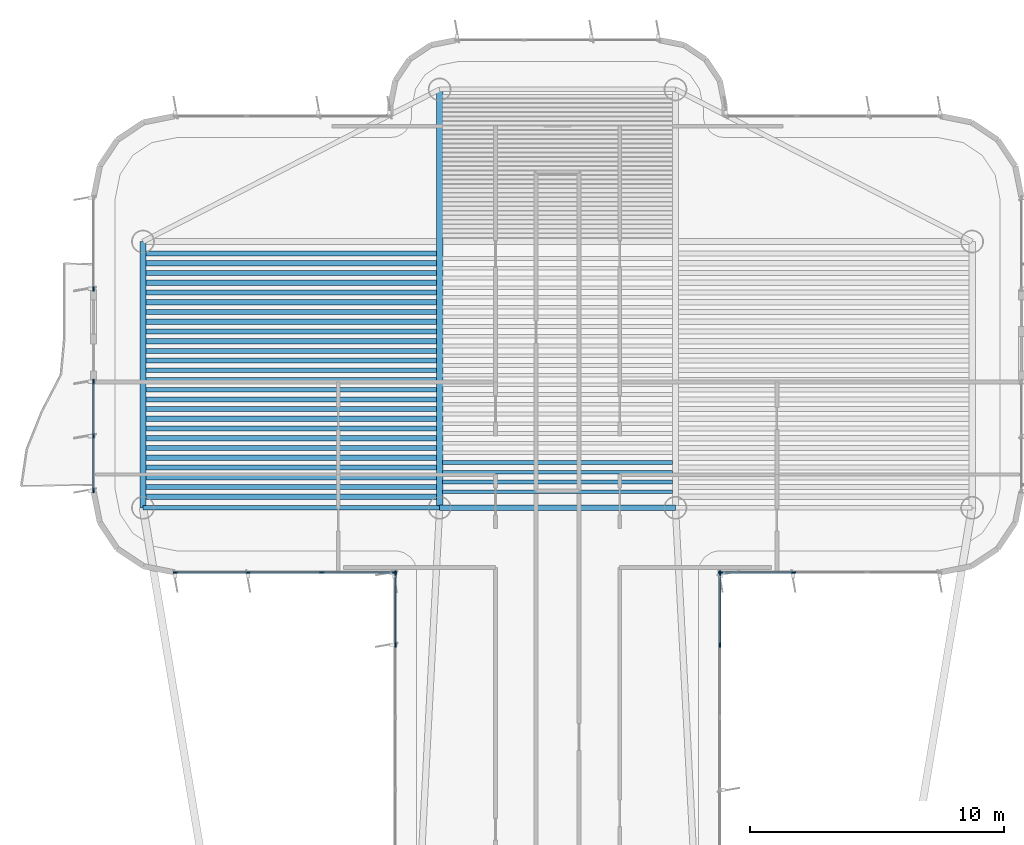
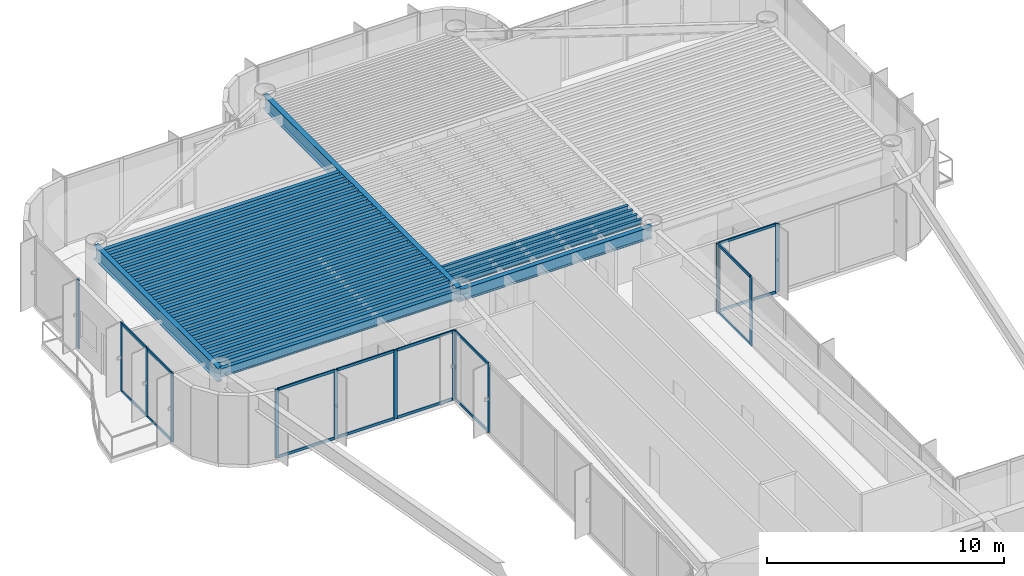
# One storey, part 5 of 15: 34 beams, 30 members, 6 elements without a shape of their own.
"""IFC4 building model written with IfcOpenShell, lengths in metres."""

from ifc_helpers import new_model, si_unit, direction, frame, origin, origin_2d, place, context, subcontext, project, spatial, rectangle, i_section, extrude, source, transform, mapped, material, layer, layer_set, material_profile, profile_set, type_object, element, aggregate, save


model = new_model("IFC4")

# Units and contexts
model_context = context("Model", 3, precision=1e-05, world=origin(), true_north=direction((0.0, 1.0)))
body_context = subcontext(model_context, "Body", "Model", "MODEL_VIEW")
ifc_project = project(units=[si_unit("LENGTHUNIT", "METRE"), si_unit("AREAUNIT", "SQUARE_METRE"), si_unit("VOLUMEUNIT", "CUBIC_METRE"), si_unit("PLANEANGLEUNIT", "RADIAN"), si_unit("MASSUNIT", "GRAM", prefix="KILO")], contexts=[model_context])

# Site, building, storey
site_placement = place(None, origin())
site = spatial("IfcSite", under=ifc_project, at=site_placement, CompositionType="ELEMENT")
building_placement = place(site_placement, origin())
building = spatial("IfcBuilding", under=site, at=building_placement, Name="Brelvock Crest Care Tower", CompositionType="ELEMENT")
storey_placement = place(building_placement, frame((0.0, 0.0, 249.47998046875)))
storey = spatial("IfcBuildingStorey", under=building, at=storey_placement, Name="L63", CompositionType="ELEMENT", Elevation=249.47998046875)

# Beams
ifc_material_1 = material(Name="Steel Grade 350", Category="steel")
ifc_material_profile_1 = material_profile(ifc_material_1, i_section(OverallWidth=0.25, OverallDepth=0.699951171875, WebThickness=0.011962890625, FlangeThickness=0.02001953125, at=origin_2d()), Name="700WB150")
ifc_profile_set_1 = profile_set([ifc_material_profile_1], Name="Steel Grade 350")
beam_type_1 = type_object("IfcBeamType", Name="BM-G4", PredefinedType="BEAM", material=ifc_profile_set_1)
shared_shape_1 = source(origin(), body_context, "Body", "SweptSolid", [
    extrude(i_section(OverallWidth=0.25, OverallDepth=0.699951171875, WebThickness=0.011962890625, FlangeThickness=0.02001953125, at=origin_2d()), origin(), (0.0, 0.0, 1.0), 10.5),
])
beam_1_placement = place(storey_placement, frame((19.64990234375, 43.949951171875, 3.179931640625), z_axis=(0.0, 1.0, 0.0), x_axis=(-1.0, 0.0, 0.0)))
element("IfcBeam", 1, at=beam_1_placement, inside=storey, type_object=beam_type_1, Name="BM-TWR-L63-01", PredefinedType="BEAM", context=body_context, shape_type="MappedRepresentation", body=[
    mapped(shared_shape_1, transform((0.0, 0.0, 0.0), x_axis=(1.0, 0.0, 0.0), y_axis=(0.0, 1.0, 0.0), z_axis=(0.0, 0.0, 1.0), scale=1.0)),
])
ifc_material_profile_2 = material_profile(ifc_material_1, i_section(OverallWidth=0.22900390625, OverallDepth=0.612060546875, WebThickness=0.011962890625, FlangeThickness=0.01953125, FilletRadius=0.013916015625, at=origin_2d()), Name="610UB125")
ifc_profile_set_2 = profile_set([ifc_material_profile_2], Name="Steel Grade 350")
beam_type_2 = type_object("IfcBeamType", Name="BM-G1", PredefinedType="BEAM", material=ifc_profile_set_2)
shared_shape_2 = source(origin(), body_context, "Body", "SweptSolid", [
    extrude(i_section(OverallWidth=0.22900390625, OverallDepth=0.612060546875, WebThickness=0.011962890625, FlangeThickness=0.01953125, FilletRadius=0.013916015625, at=origin_2d()), origin(), (0.0, 0.0, 1.0), 9.2998046875),
])
beam_2_placement = place(storey_placement, frame((31.35009765625, 43.949951171875, 3.22412109375), z_axis=(1.0, 0.0, 0.0), x_axis=(0.0, 1.0, 0.0)))
element("IfcBeam", 2, at=beam_2_placement, inside=storey, type_object=beam_type_2, Name="BM-TWR-L63-05", PredefinedType="BEAM", context=body_context, shape_type="MappedRepresentation", body=[
    mapped(shared_shape_2, transform((0.0, 0.0, 0.0), x_axis=(1.0, 0.0, 0.0), y_axis=(0.0, 1.0, 0.0), z_axis=(0.0, 0.0, 1.0), scale=1.0)),
])
ifc_material_profile_3 = material_profile(ifc_material_1, i_section(OverallWidth=0.14599609375, OverallDepth=0.256103515625, WebThickness=0.00634765625, FlangeThickness=0.010986328125, FilletRadius=0.0087890625, at=origin_2d()), Name="250UB37.3")
ifc_profile_set_3 = profile_set([ifc_material_profile_3], Name="Steel Grade 350")
beam_type_3 = type_object("IfcBeamType", Name="BM-J3", PredefinedType="JOIST", material=ifc_profile_set_3)
shared_shape_3 = source(origin(), body_context, "Body", "SweptSolid", [
    extrude(i_section(OverallWidth=0.14599609375, OverallDepth=0.256103515625, WebThickness=0.00634765625, FlangeThickness=0.010986328125, FilletRadius=0.0087890625, at=origin_2d()), origin(), (0.0, 0.0, 1.0), 9.06982421875),
])
for number, where, z_axis, x_axis, name in (
    (3, (31.465087890625, 44.58251953125, 3.402099609375), (1.0, 0.0, 0.0), (0.0, 1.0, 0.0), "BM-JH-L63-1"),
    (4, (31.465087890625, 44.9658203125, 3.402099609375), (1.0, 0.0, 0.0), (0.0, 1.0, 0.0), "BM-JH-L63-2"),
    (5, (31.465087890625, 45.34912109375, 3.402099609375), (1.0, 0.0, 0.0), (0.0, 1.0, 0.0), "BM-JH-L63-3"),
    (6, (31.465087890625, 45.732421875, 3.402099609375), (1.0, 0.0, 0.0), (0.0, 1.0, 0.0), "BM-JH-L63-4"),
):
    element("IfcBeam", number, at=place(storey_placement, frame(where, z_axis=z_axis, x_axis=x_axis)), inside=storey, type_object=beam_type_3, Name=name, PredefinedType="JOIST", context=body_context, shape_type="MappedRepresentation", body=[
        mapped(shared_shape_3, transform((0.0, 0.0, 0.0), x_axis=(1.0, 0.0, 0.0), y_axis=(0.0, 1.0, 0.0), z_axis=(0.0, 0.0, 1.0), scale=1.0)),
    ])
ifc_material_profile_4 = material_profile(ifc_material_1, i_section(OverallWidth=0.19091796875, OverallDepth=0.4599609375, WebThickness=0.010009765625, FlangeThickness=0.01611328125, FilletRadius=0.011474609375, at=origin_2d()), Name="460UB82.1")
ifc_profile_set_4 = profile_set([ifc_material_profile_4], Name="Steel Grade 350")
beam_type_4 = type_object("IfcBeamType", Name="BM-G3", PredefinedType="BEAM", material=ifc_profile_set_4)
shared_shape_4 = source(origin(), body_context, "Body", "SweptSolid", [
    extrude(i_section(OverallWidth=0.19091796875, OverallDepth=0.4599609375, WebThickness=0.010009765625, FlangeThickness=0.01611328125, FilletRadius=0.011474609375, at=origin_2d()), origin(), (0.0, 0.0, 1.0), 11.47021484375),
])
for number, where, z_axis, x_axis, name in (
    (7, (19.764892578125, 44.7744140625, 3.300048828125), (1.0, 0.0, 0.0), (0.0, 1.0, 0.0), "BM-JW-L63-2"),
    (8, (19.764892578125, 45.540771484375, 3.300048828125), (1.0, 0.0, 0.0), (0.0, 1.0, 0.0), "BM-JW-L63-4"),
    (9, (19.764892578125, 46.307373046875, 3.300048828125), (1.0, 0.0, 0.0), (0.0, 1.0, 0.0), "BM-JW-L63-6"),
    (10, (19.764892578125, 47.07373046875, 3.300048828125), (1.0, 0.0, 0.0), (0.0, 1.0, 0.0), "BM-JW-L63-8"),
    (11, (19.764892578125, 47.84033203125, 3.300048828125), (1.0, 0.0, 0.0), (0.0, 1.0, 0.0), "BM-JW-L63-10"),
    (12, (19.764892578125, 48.606689453125, 3.300048828125), (1.0, 0.0, 0.0), (0.0, 1.0, 0.0), "BM-JW-L63-12"),
    (13, (19.764892578125, 49.373291015625, 3.300048828125), (1.0, 0.0, 0.0), (0.0, 1.0, 0.0), "BM-JW-L63-14"),
    (14, (19.764892578125, 50.139892578125, 3.300048828125), (1.0, 0.0, 0.0), (0.0, 1.0, 0.0), "BM-JW-L63-16"),
    (15, (19.764892578125, 50.90625, 3.300048828125), (1.0, 0.0, 0.0), (0.0, 1.0, 0.0), "BM-JW-L63-18"),
    (16, (19.764892578125, 51.6728515625, 3.300048828125), (1.0, 0.0, 0.0), (0.0, 1.0, 0.0), "BM-JW-L63-20"),
    (17, (19.764892578125, 52.439208984375, 3.300048828125), (1.0, 0.0, 0.0), (0.0, 1.0, 0.0), "BM-JW-L63-22"),
    (18, (19.764892578125, 53.205810546875, 3.300048828125), (1.0, 0.0, 0.0), (0.0, 1.0, 0.0), "BM-JW-L63-24"),
    (19, (19.764892578125, 53.972412109375, 3.300048828125), (1.0, 0.0, 0.0), (0.0, 1.0, 0.0), "BM-JW-L63-26"),
):
    element("IfcBeam", number, at=place(storey_placement, frame(where, z_axis=z_axis, x_axis=x_axis)), inside=storey, type_object=beam_type_4, Name=name, PredefinedType="BEAM", context=body_context, shape_type="MappedRepresentation", body=[
        mapped(shared_shape_4, transform((0.0, 0.0, 0.0), x_axis=(1.0, 0.0, 0.0), y_axis=(0.0, 1.0, 0.0), z_axis=(0.0, 0.0, 1.0), scale=1.0)),
    ])
ifc_material_profile_5 = material_profile(ifc_material_1, i_section(OverallWidth=0.208984375, OverallDepth=0.532958984375, WebThickness=0.01025390625, FlangeThickness=0.015625, FilletRadius=0.013916015625, at=origin_2d()), Name="530UB92.4")
ifc_profile_set_5 = profile_set([ifc_material_profile_5], Name="Steel Grade 350")
beam_type_5 = type_object("IfcBeamType", Name="BM-G2", PredefinedType="BEAM", material=ifc_profile_set_5)
shared_shape_5 = source(origin(), body_context, "Body", "SweptSolid", [
    extrude(i_section(OverallWidth=0.208984375, OverallDepth=0.532958984375, WebThickness=0.01025390625, FlangeThickness=0.015625, FilletRadius=0.013916015625, at=origin_2d()), origin(), (0.0, 0.0, 1.0), 11.47021484375),
])
for number, where, z_axis, x_axis, name in (
    (20, (19.764892578125, 44.39111328125, 3.263427734375), (1.0, 0.0, 0.0), (0.0, 1.0, 0.0), "BM-JW-L63-1"),
    (21, (19.764892578125, 45.157470703125, 3.263427734375), (1.0, 0.0, 0.0), (0.0, 1.0, 0.0), "BM-JW-L63-3"),
    (22, (19.764892578125, 45.924072265625, 3.263427734375), (1.0, 0.0, 0.0), (0.0, 1.0, 0.0), "BM-JW-L63-5"),
    (23, (19.764892578125, 46.6904296875, 3.263427734375), (1.0, 0.0, 0.0), (0.0, 1.0, 0.0), "BM-JW-L63-7"),
    (24, (19.764892578125, 47.45703125, 3.263427734375), (1.0, 0.0, 0.0), (0.0, 1.0, 0.0), "BM-JW-L63-9"),
    (25, (19.764892578125, 48.223388671875, 3.263427734375), (1.0, 0.0, 0.0), (0.0, 1.0, 0.0), "BM-JW-L63-11"),
    (26, (19.764892578125, 48.989990234375, 3.263427734375), (1.0, 0.0, 0.0), (0.0, 1.0, 0.0), "BM-JW-L63-13"),
    (27, (19.764892578125, 49.756591796875, 3.263427734375), (1.0, 0.0, 0.0), (0.0, 1.0, 0.0), "BM-JW-L63-15"),
    (28, (19.764892578125, 50.52294921875, 3.263427734375), (1.0, 0.0, 0.0), (0.0, 1.0, 0.0), "BM-JW-L63-17"),
    (29, (19.764892578125, 51.28955078125, 3.263427734375), (1.0, 0.0, 0.0), (0.0, 1.0, 0.0), "BM-JW-L63-19"),
    (30, (19.764892578125, 52.055908203125, 3.263427734375), (1.0, 0.0, 0.0), (0.0, 1.0, 0.0), "BM-JW-L63-21"),
    (31, (19.764892578125, 52.822509765625, 3.263427734375), (1.0, 0.0, 0.0), (0.0, 1.0, 0.0), "BM-JW-L63-23"),
    (32, (19.764892578125, 53.589111328125, 3.263427734375), (1.0, 0.0, 0.0), (0.0, 1.0, 0.0), "BM-JW-L63-25"),
):
    element("IfcBeam", number, at=place(storey_placement, frame(where, z_axis=z_axis, x_axis=x_axis)), inside=storey, type_object=beam_type_5, Name=name, PredefinedType="BEAM", context=body_context, shape_type="MappedRepresentation", body=[
        mapped(shared_shape_5, transform((0.0, 0.0, 0.0), x_axis=(1.0, 0.0, 0.0), y_axis=(0.0, 1.0, 0.0), z_axis=(0.0, 0.0, 1.0), scale=1.0)),
    ])
ifc_material_profile_6 = material_profile(ifc_material_1, i_section(OverallWidth=0.19091796875, OverallDepth=0.4599609375, WebThickness=0.010009765625, FlangeThickness=0.01611328125, FilletRadius=0.011474609375, at=origin_2d()), Name="460UB82.1")
ifc_profile_set_6 = profile_set([ifc_material_profile_6], Name="Steel Grade 350")
beam_type_6 = type_object("IfcBeamType", Name="BM-SP2", PredefinedType="SPANDREL", material=ifc_profile_set_6)
shared_shape_6 = source(origin(), body_context, "Body", "SweptSolid", [
    extrude(i_section(OverallWidth=0.19091796875, OverallDepth=0.4599609375, WebThickness=0.010009765625, FlangeThickness=0.01611328125, FilletRadius=0.011474609375, at=origin_2d()), origin(), (0.0, 0.0, 1.0), 11.7001953125),
])
beam_3_placement = place(storey_placement, frame((19.64990234375, 43.949951171875, 3.300048828125), z_axis=(1.0, 0.0, 0.0), x_axis=(0.0, 1.0, 0.0)))
element("IfcBeam", 33, at=beam_3_placement, inside=storey, type_object=beam_type_6, Name="BM-TWR-L63-03", PredefinedType="SPANDREL", context=body_context, shape_type="MappedRepresentation", body=[
    mapped(shared_shape_6, transform((0.0, 0.0, 0.0), x_axis=(1.0, 0.0, 0.0), y_axis=(0.0, 1.0, 0.0), z_axis=(0.0, 0.0, 1.0), scale=1.0)),
])
shared_shape_7 = source(origin(), body_context, "Body", "SweptSolid", [
    extrude(i_section(OverallWidth=0.25, OverallDepth=0.699951171875, WebThickness=0.011962890625, FlangeThickness=0.02001953125, at=origin_2d()), origin(), (0.0, 0.0, 1.0), 16.5),
])
beam_4_placement = place(storey_placement, frame((31.35009765625, 43.949951171875, 3.179931640625), z_axis=(0.0, 1.0, 0.0), x_axis=(-1.0, 0.0, 0.0)))
element("IfcBeam", 34, at=beam_4_placement, inside=storey, type_object=beam_type_1, Name="BM-TWR-L63-09", PredefinedType="BEAM", context=body_context, shape_type="MappedRepresentation", body=[
    mapped(shared_shape_7, transform((0.0, 0.0, 0.0), x_axis=(1.0, 0.0, 0.0), y_axis=(0.0, 1.0, 0.0), z_axis=(0.0, 0.0, 1.0), scale=1.0)),
])

# Curtain wall, members
ifc_material_2 = material(Name="Dark Glass Double Glazed Low-E", Category="glass")
ifc_layer = layer(ifc_material_2, 0.239990234375, Name="CWS-5")
ifc_layer_set = layer_set([ifc_layer], Name="Dark Glass Double Glazed Low-E")
curtain_wall_type = type_object("IfcCurtainWallType", Name="CWS-5", PredefinedType="NOTDEFINED", material=ifc_layer_set)
curtain_wall_1_placement = place(storey_placement, origin())
curtain_wall_1 = element("IfcCurtainWall", 35, at=curtain_wall_1_placement, inside=storey, type_object=curtain_wall_type, Name="L63 Curtain Wall E11", PredefinedType="NOTDEFINED")
ifc_material_3 = material(Name="Aluminium 6063-T6", Category="aluminium")
ifc_material_profile_7 = material_profile(ifc_material_3, rectangle(XDim=0.06005859375, YDim=0.179931640625, at=origin_2d()), Name="ALU60x180")
ifc_profile_set_7 = profile_set([ifc_material_profile_7], Name="Aluminium 6063-T6")
member_type_1 = type_object("IfcMemberType", Name="CWM-2", PredefinedType="MULLION", material=ifc_profile_set_7)
shared_shape_8 = source(origin(), body_context, "Body", "SweptSolid", [
    extrude(rectangle(XDim=0.06005859375, YDim=0.179931640625, at=origin_2d()), origin(), (0.0, 0.0, 1.0), 3.530029296875),
])
member_1_placement = place(storey_placement, frame((29.60009765625, 38.54296875, 0.0), z_axis=(0.0, 0.0, 1.0), x_axis=(-1.0, 0.0, 0.0)))
member_1 = element("IfcMember", 36, at=member_1_placement, type_object=member_type_1, Name="CW-5 mullion 7", PredefinedType="MULLION", context=body_context, shape_type="MappedRepresentation", body=[
    mapped(shared_shape_8, transform((0.0, 0.0, 0.0), x_axis=(1.0, 0.0, 0.0), y_axis=(0.0, 1.0, 0.0), z_axis=(0.0, 0.0, 1.0), scale=1.0)),
])
member_2_placement = place(storey_placement, frame((29.60009765625, 41.3701171875, 0.0), z_axis=(0.0, 0.0, 1.0), x_axis=(-1.0, 0.0, 0.0)))
member_2 = element("IfcMember", 37, at=member_2_placement, type_object=member_type_1, Name="CW-5 mullion 8", PredefinedType="MULLION", context=body_context, shape_type="MappedRepresentation", body=[
    mapped(shared_shape_8, transform((0.0, 0.0, 0.0), x_axis=(1.0, 0.0, 0.0), y_axis=(0.0, 1.0, 0.0), z_axis=(0.0, 0.0, 1.0), scale=1.0)),
])

curtain_wall_2_placement = place(storey_placement, origin())
curtain_wall_2 = element("IfcCurtainWall", 38, at=curtain_wall_2_placement, inside=storey, type_object=curtain_wall_type, Name="L63 Curtain Wall E12", PredefinedType="NOTDEFINED")
member_3_placement = place(storey_placement, frame((29.570068359375, 41.39990234375, 0.0), z_axis=(0.0, 0.0, 1.0), x_axis=(0.0, -1.0, 0.0)))
member_3 = element("IfcMember", 39, at=member_3_placement, type_object=member_type_1, Name="CW-5 mullion 1", PredefinedType="MULLION", context=body_context, shape_type="MappedRepresentation", body=[
    mapped(shared_shape_8, transform((0.0, 0.0, 0.0), x_axis=(1.0, 0.0, 0.0), y_axis=(0.0, 1.0, 0.0), z_axis=(0.0, 0.0, 1.0), scale=1.0)),
])
member_4_placement = place(storey_placement, frame((26.699951171875, 41.39990234375, 0.0), z_axis=(0.0, 0.0, 1.0), x_axis=(0.0, -1.0, 0.0)))
member_4 = element("IfcMember", 40, at=member_4_placement, type_object=member_type_1, Name="CW-5 mullion 2", PredefinedType="MULLION", context=body_context, shape_type="MappedRepresentation", body=[
    mapped(shared_shape_8, transform((0.0, 0.0, 0.0), x_axis=(1.0, 0.0, 0.0), y_axis=(0.0, 1.0, 0.0), z_axis=(0.0, 0.0, 1.0), scale=1.0)),
])
member_5_placement = place(storey_placement, frame((23.800048828125, 41.39990234375, 0.0), z_axis=(0.0, 0.0, 1.0), x_axis=(0.0, -1.0, 0.0)))
member_5 = element("IfcMember", 41, at=member_5_placement, type_object=member_type_1, Name="CW-5 mullion 3", PredefinedType="MULLION", context=body_context, shape_type="MappedRepresentation", body=[
    mapped(shared_shape_8, transform((0.0, 0.0, 0.0), x_axis=(1.0, 0.0, 0.0), y_axis=(0.0, 1.0, 0.0), z_axis=(0.0, 0.0, 1.0), scale=1.0)),
])
member_6_placement = place(storey_placement, frame((20.929931640625, 41.39990234375, 0.0), z_axis=(0.0, 0.0, 1.0), x_axis=(0.0, -1.0, 0.0)))
member_6 = element("IfcMember", 42, at=member_6_placement, type_object=member_type_1, Name="CW-5 mullion 4", PredefinedType="MULLION", context=body_context, shape_type="MappedRepresentation", body=[
    mapped(shared_shape_8, transform((0.0, 0.0, 0.0), x_axis=(1.0, 0.0, 0.0), y_axis=(0.0, 1.0, 0.0), z_axis=(0.0, 0.0, 1.0), scale=1.0)),
])

curtain_wall_3_placement = place(storey_placement, origin())
curtain_wall_3 = element("IfcCurtainWall", 43, at=curtain_wall_3_placement, inside=storey, type_object=curtain_wall_type, Name="L63 Curtain Wall E17A", PredefinedType="NOTDEFINED")
member_7_placement = place(storey_placement, frame((17.699951171875, 44.6298828125, 0.0), z_axis=(0.0, 0.0, 1.0), x_axis=(-1.0, 0.0, 0.0)))
member_7 = element("IfcMember", 44, at=member_7_placement, type_object=member_type_1, Name="CW-5 mullion 1", PredefinedType="MULLION", context=body_context, shape_type="MappedRepresentation", body=[
    mapped(shared_shape_8, transform((0.0, 0.0, 0.0), x_axis=(1.0, 0.0, 0.0), y_axis=(0.0, 1.0, 0.0), z_axis=(0.0, 0.0, 1.0), scale=1.0)),
])
member_8_placement = place(storey_placement, frame((17.699951171875, 46.77490234375, 0.0), z_axis=(0.0, 0.0, 1.0), x_axis=(-1.0, 0.0, 0.0)))
member_8 = element("IfcMember", 45, at=member_8_placement, type_object=member_type_1, Name="CW-5 mullion 2", PredefinedType="MULLION", context=body_context, shape_type="MappedRepresentation", body=[
    mapped(shared_shape_8, transform((0.0, 0.0, 0.0), x_axis=(1.0, 0.0, 0.0), y_axis=(0.0, 1.0, 0.0), z_axis=(0.0, 0.0, 1.0), scale=1.0)),
])
member_9_placement = place(storey_placement, frame((17.699951171875, 48.919921875, 0.0), z_axis=(0.0, 0.0, 1.0), x_axis=(-1.0, 0.0, 0.0)))
member_9 = element("IfcMember", 46, at=member_9_placement, type_object=member_type_1, Name="CW-5 mullion 3", PredefinedType="MULLION", context=body_context, shape_type="MappedRepresentation", body=[
    mapped(shared_shape_8, transform((0.0, 0.0, 0.0), x_axis=(1.0, 0.0, 0.0), y_axis=(0.0, 1.0, 0.0), z_axis=(0.0, 0.0, 1.0), scale=1.0)),
])

# Curtain wall, member
curtain_wall_4_placement = place(storey_placement, origin())
curtain_wall_4 = element("IfcCurtainWall", 47, at=curtain_wall_4_placement, inside=storey, type_object=curtain_wall_type, Name="L63 Curtain Wall E17B", PredefinedType="NOTDEFINED")
member_10_placement = place(storey_placement, frame((17.699951171875, 52.580078125, 0.0), z_axis=(0.0, 0.0, 1.0), x_axis=(-1.0, 0.0, 0.0)))
member_10 = element("IfcMember", 48, at=member_10_placement, type_object=member_type_1, Name="CW-5 mullion 1", PredefinedType="MULLION", context=body_context, shape_type="MappedRepresentation", body=[
    mapped(shared_shape_8, transform((0.0, 0.0, 0.0), x_axis=(1.0, 0.0, 0.0), y_axis=(0.0, 1.0, 0.0), z_axis=(0.0, 0.0, 1.0), scale=1.0)),
])
aggregate(curtain_wall_4, [member_10])

# Curtain wall, members
curtain_wall_5_placement = place(storey_placement, origin())
curtain_wall_5 = element("IfcCurtainWall", 49, at=curtain_wall_5_placement, inside=storey, type_object=curtain_wall_type, Name="L63 Curtain Wall E44", PredefinedType="NOTDEFINED")
member_11_placement = place(storey_placement, frame((45.300048828125, 41.39990234375, 0.0), z_axis=(0.0, 0.0, 1.0), x_axis=(0.0, -1.0, 0.0)))
member_11 = element("IfcMember", 50, at=member_11_placement, type_object=member_type_1, Name="CW-5 mullion 3", PredefinedType="MULLION", context=body_context, shape_type="MappedRepresentation", body=[
    mapped(shared_shape_8, transform((0.0, 0.0, 0.0), x_axis=(1.0, 0.0, 0.0), y_axis=(0.0, 1.0, 0.0), z_axis=(0.0, 0.0, 1.0), scale=1.0)),
])
member_12_placement = place(storey_placement, frame((42.429931640625, 41.39990234375, 0.0), z_axis=(0.0, 0.0, 1.0), x_axis=(0.0, -1.0, 0.0)))
member_12 = element("IfcMember", 51, at=member_12_placement, type_object=member_type_1, Name="CW-5 mullion 4", PredefinedType="MULLION", context=body_context, shape_type="MappedRepresentation", body=[
    mapped(shared_shape_8, transform((0.0, 0.0, 0.0), x_axis=(1.0, 0.0, 0.0), y_axis=(0.0, 1.0, 0.0), z_axis=(0.0, 0.0, 1.0), scale=1.0)),
])

curtain_wall_6_placement = place(storey_placement, origin())
curtain_wall_6 = element("IfcCurtainWall", 52, at=curtain_wall_6_placement, inside=storey, type_object=curtain_wall_type, Name="L63 Curtain Wall E45", PredefinedType="NOTDEFINED")
member_13_placement = place(storey_placement, frame((42.39990234375, 41.3701171875, 0.0), z_axis=(0.0, 0.0, 1.0), x_axis=(1.0, 0.0, 0.0)))
member_13 = element("IfcMember", 53, at=member_13_placement, type_object=member_type_1, Name="CW-5 mullion 1", PredefinedType="MULLION", context=body_context, shape_type="MappedRepresentation", body=[
    mapped(shared_shape_8, transform((0.0, 0.0, 0.0), x_axis=(1.0, 0.0, 0.0), y_axis=(0.0, 1.0, 0.0), z_axis=(0.0, 0.0, 1.0), scale=1.0)),
])
member_14_placement = place(storey_placement, frame((42.39990234375, 38.54296875, 0.0), z_axis=(0.0, 0.0, 1.0), x_axis=(1.0, 0.0, 0.0)))
member_14 = element("IfcMember", 54, at=member_14_placement, type_object=member_type_1, Name="CW-5 mullion 2", PredefinedType="MULLION", context=body_context, shape_type="MappedRepresentation", body=[
    mapped(shared_shape_8, transform((0.0, 0.0, 0.0), x_axis=(1.0, 0.0, 0.0), y_axis=(0.0, 1.0, 0.0), z_axis=(0.0, 0.0, 1.0), scale=1.0)),
])

# Member
ifc_material_profile_8 = material_profile(ifc_material_3, rectangle(XDim=0.06005859375, YDim=0.139892578125, at=origin_2d()), Name="ALU60x140")
ifc_profile_set_8 = profile_set([ifc_material_profile_8], Name="Aluminium 6063-T6")
member_type_2 = type_object("IfcMemberType", Name="CWT-2", PredefinedType="USERDEFINED", material=ifc_profile_set_8)
shared_shape_9 = source(origin(), body_context, "Body", "SweptSolid", [
    extrude(rectangle(XDim=0.06005859375, YDim=0.139892578125, at=origin_2d()), origin(), (0.0, 0.0, 1.0), 2.767333984375),
])
member_15_placement = place(storey_placement, frame((29.60009765625, 38.57275390625, 0.030029296875), z_axis=(0.0, 1.0, 0.0), x_axis=(-1.0, 0.0, 0.0)))
member_15 = element("IfcMember", 55, at=member_15_placement, type_object=member_type_2, Name="CW-5 transom 7.1", ObjectType="TRANSOM", PredefinedType="USERDEFINED", context=body_context, shape_type="MappedRepresentation", body=[
    mapped(shared_shape_9, transform((0.0, 0.0, 0.0), x_axis=(1.0, 0.0, 0.0), y_axis=(0.0, 1.0, 0.0), z_axis=(0.0, 0.0, 1.0), scale=1.0)),
])

member_16_placement = place(storey_placement, frame((29.60009765625, 38.57275390625, 3.5), z_axis=(0.0, 1.0, 0.0), x_axis=(-1.0, 0.0, 0.0)))
member_16 = element("IfcMember", 56, at=member_16_placement, type_object=member_type_2, Name="CW-5 transom 7.2", ObjectType="TRANSOM", PredefinedType="USERDEFINED", context=body_context, shape_type="MappedRepresentation", body=[
    mapped(shared_shape_9, transform((0.0, 0.0, 0.0), x_axis=(1.0, 0.0, 0.0), y_axis=(0.0, 1.0, 0.0), z_axis=(0.0, 0.0, 1.0), scale=1.0)),
])

aggregate(curtain_wall_1, [member_1, member_2, member_15, member_16])

member_17_placement = place(storey_placement, frame((42.39990234375, 41.340087890625, 0.030029296875), z_axis=(0.0, -1.0, 0.0), x_axis=(1.0, 0.0, 0.0)))
member_17 = element("IfcMember", 57, at=member_17_placement, type_object=member_type_2, Name="CW-5 transom 1.1", ObjectType="TRANSOM", PredefinedType="USERDEFINED", context=body_context, shape_type="MappedRepresentation", body=[
    mapped(shared_shape_9, transform((0.0, 0.0, 0.0), x_axis=(1.0, 0.0, 0.0), y_axis=(0.0, 1.0, 0.0), z_axis=(0.0, 0.0, 1.0), scale=1.0)),
])

member_18_placement = place(storey_placement, frame((42.39990234375, 41.340087890625, 3.5), z_axis=(0.0, -1.0, 0.0), x_axis=(1.0, 0.0, 0.0)))
member_18 = element("IfcMember", 58, at=member_18_placement, type_object=member_type_2, Name="CW-5 transom 1.2", ObjectType="TRANSOM", PredefinedType="USERDEFINED", context=body_context, shape_type="MappedRepresentation", body=[
    mapped(shared_shape_9, transform((0.0, 0.0, 0.0), x_axis=(1.0, 0.0, 0.0), y_axis=(0.0, 1.0, 0.0), z_axis=(0.0, 0.0, 1.0), scale=1.0)),
])

aggregate(curtain_wall_6, [member_13, member_14, member_17, member_18])

shared_shape_10 = source(origin(), body_context, "Body", "SweptSolid", [
    extrude(rectangle(XDim=0.06005859375, YDim=0.139892578125, at=origin_2d()), origin(), (0.0, 0.0, 1.0), 2.81005859375),
])
member_19_placement = place(storey_placement, frame((29.5400390625, 41.39990234375, 0.030029296875), z_axis=(-1.0, 0.0, 0.0), x_axis=(0.0, -1.0, 0.0)))
member_19 = element("IfcMember", 59, at=member_19_placement, type_object=member_type_2, Name="CW-5 transom 1.1", ObjectType="TRANSOM", PredefinedType="USERDEFINED", context=body_context, shape_type="MappedRepresentation", body=[
    mapped(shared_shape_10, transform((0.0, 0.0, 0.0), x_axis=(1.0, 0.0, 0.0), y_axis=(0.0, 1.0, 0.0), z_axis=(0.0, 0.0, 1.0), scale=1.0)),
])

member_20_placement = place(storey_placement, frame((29.5400390625, 41.39990234375, 3.5), z_axis=(-1.0, 0.0, 0.0), x_axis=(0.0, -1.0, 0.0)))
member_20 = element("IfcMember", 60, at=member_20_placement, type_object=member_type_2, Name="CW-5 transom 1.2", ObjectType="TRANSOM", PredefinedType="USERDEFINED", context=body_context, shape_type="MappedRepresentation", body=[
    mapped(shared_shape_10, transform((0.0, 0.0, 0.0), x_axis=(1.0, 0.0, 0.0), y_axis=(0.0, 1.0, 0.0), z_axis=(0.0, 0.0, 1.0), scale=1.0)),
])

member_21_placement = place(storey_placement, frame((23.77001953125, 41.39990234375, 0.030029296875), z_axis=(-1.0, 0.0, 0.0), x_axis=(0.0, -1.0, 0.0)))
member_21 = element("IfcMember", 61, at=member_21_placement, type_object=member_type_2, Name="CW-5 transom 3.1", ObjectType="TRANSOM", PredefinedType="USERDEFINED", context=body_context, shape_type="MappedRepresentation", body=[
    mapped(shared_shape_10, transform((0.0, 0.0, 0.0), x_axis=(1.0, 0.0, 0.0), y_axis=(0.0, 1.0, 0.0), z_axis=(0.0, 0.0, 1.0), scale=1.0)),
])

member_22_placement = place(storey_placement, frame((23.77001953125, 41.39990234375, 3.5), z_axis=(-1.0, 0.0, 0.0), x_axis=(0.0, -1.0, 0.0)))
member_22 = element("IfcMember", 62, at=member_22_placement, type_object=member_type_2, Name="CW-5 transom 3.2", ObjectType="TRANSOM", PredefinedType="USERDEFINED", context=body_context, shape_type="MappedRepresentation", body=[
    mapped(shared_shape_10, transform((0.0, 0.0, 0.0), x_axis=(1.0, 0.0, 0.0), y_axis=(0.0, 1.0, 0.0), z_axis=(0.0, 0.0, 1.0), scale=1.0)),
])

member_23_placement = place(storey_placement, frame((45.27001953125, 41.39990234375, 0.030029296875), z_axis=(-1.0, 0.0, 0.0), x_axis=(0.0, -1.0, 0.0)))
member_23 = element("IfcMember", 63, at=member_23_placement, type_object=member_type_2, Name="CW-5 transom 3.1", ObjectType="TRANSOM", PredefinedType="USERDEFINED", context=body_context, shape_type="MappedRepresentation", body=[
    mapped(shared_shape_10, transform((0.0, 0.0, 0.0), x_axis=(1.0, 0.0, 0.0), y_axis=(0.0, 1.0, 0.0), z_axis=(0.0, 0.0, 1.0), scale=1.0)),
])

member_24_placement = place(storey_placement, frame((45.27001953125, 41.39990234375, 3.5), z_axis=(-1.0, 0.0, 0.0), x_axis=(0.0, -1.0, 0.0)))
member_24 = element("IfcMember", 64, at=member_24_placement, type_object=member_type_2, Name="CW-5 transom 3.2", ObjectType="TRANSOM", PredefinedType="USERDEFINED", context=body_context, shape_type="MappedRepresentation", body=[
    mapped(shared_shape_10, transform((0.0, 0.0, 0.0), x_axis=(1.0, 0.0, 0.0), y_axis=(0.0, 1.0, 0.0), z_axis=(0.0, 0.0, 1.0), scale=1.0)),
])

aggregate(curtain_wall_5, [member_11, member_12, member_23, member_24])

shared_shape_11 = source(origin(), body_context, "Body", "SweptSolid", [
    extrude(rectangle(XDim=0.06005859375, YDim=0.139892578125, at=origin_2d()), origin(), (0.0, 0.0, 1.0), 2.83984375),
])
member_25_placement = place(storey_placement, frame((26.669921875, 41.39990234375, 0.030029296875), z_axis=(-1.0, 0.0, 0.0), x_axis=(0.0, -1.0, 0.0)))
member_25 = element("IfcMember", 65, at=member_25_placement, type_object=member_type_2, Name="CW-5 transom 2.1", ObjectType="TRANSOM", PredefinedType="USERDEFINED", context=body_context, shape_type="MappedRepresentation", body=[
    mapped(shared_shape_11, transform((0.0, 0.0, 0.0), x_axis=(1.0, 0.0, 0.0), y_axis=(0.0, 1.0, 0.0), z_axis=(0.0, 0.0, 1.0), scale=1.0)),
])

member_26_placement = place(storey_placement, frame((26.669921875, 41.39990234375, 3.5), z_axis=(-1.0, 0.0, 0.0), x_axis=(0.0, -1.0, 0.0)))
member_26 = element("IfcMember", 66, at=member_26_placement, type_object=member_type_2, Name="CW-5 transom 2.2", ObjectType="TRANSOM", PredefinedType="USERDEFINED", context=body_context, shape_type="MappedRepresentation", body=[
    mapped(shared_shape_11, transform((0.0, 0.0, 0.0), x_axis=(1.0, 0.0, 0.0), y_axis=(0.0, 1.0, 0.0), z_axis=(0.0, 0.0, 1.0), scale=1.0)),
])

aggregate(curtain_wall_2, [member_3, member_4, member_5, member_6, member_19, member_20, member_25, member_26, member_21, member_22])

shared_shape_12 = source(origin(), body_context, "Body", "SweptSolid", [
    extrude(rectangle(XDim=0.06005859375, YDim=0.139892578125, at=origin_2d()), origin(), (0.0, 0.0, 1.0), 2.085205078125),
])
member_27_placement = place(storey_placement, frame((17.699951171875, 44.659912109375, 0.030029296875), z_axis=(0.0, 1.0, 0.0), x_axis=(-1.0, 0.0, 0.0)))
member_27 = element("IfcMember", 67, at=member_27_placement, type_object=member_type_2, Name="CW-5 transom 1.1", ObjectType="TRANSOM", PredefinedType="USERDEFINED", context=body_context, shape_type="MappedRepresentation", body=[
    mapped(shared_shape_12, transform((0.0, 0.0, 0.0), x_axis=(1.0, 0.0, 0.0), y_axis=(0.0, 1.0, 0.0), z_axis=(0.0, 0.0, 1.0), scale=1.0)),
])

member_28_placement = place(storey_placement, frame((17.699951171875, 44.659912109375, 3.5), z_axis=(0.0, 1.0, 0.0), x_axis=(-1.0, 0.0, 0.0)))
member_28 = element("IfcMember", 68, at=member_28_placement, type_object=member_type_2, Name="CW-5 transom 1.2", ObjectType="TRANSOM", PredefinedType="USERDEFINED", context=body_context, shape_type="MappedRepresentation", body=[
    mapped(shared_shape_12, transform((0.0, 0.0, 0.0), x_axis=(1.0, 0.0, 0.0), y_axis=(0.0, 1.0, 0.0), z_axis=(0.0, 0.0, 1.0), scale=1.0)),
])

shared_shape_13 = source(origin(), body_context, "Body", "SweptSolid", [
    extrude(rectangle(XDim=0.06005859375, YDim=0.139892578125, at=origin_2d()), origin(), (0.0, 0.0, 1.0), 2.0849609375),
])
member_29_placement = place(storey_placement, frame((17.699951171875, 46.804931640625, 0.030029296875), z_axis=(0.0, 1.0, 0.0), x_axis=(-1.0, 0.0, 0.0)))
member_29 = element("IfcMember", 69, at=member_29_placement, type_object=member_type_2, Name="CW-5 transom 2.1", ObjectType="TRANSOM", PredefinedType="USERDEFINED", context=body_context, shape_type="MappedRepresentation", body=[
    mapped(shared_shape_13, transform((0.0, 0.0, 0.0), x_axis=(1.0, 0.0, 0.0), y_axis=(0.0, 1.0, 0.0), z_axis=(0.0, 0.0, 1.0), scale=1.0)),
])

member_30_placement = place(storey_placement, frame((17.699951171875, 46.804931640625, 3.5), z_axis=(0.0, 1.0, 0.0), x_axis=(-1.0, 0.0, 0.0)))
member_30 = element("IfcMember", 70, at=member_30_placement, type_object=member_type_2, Name="CW-5 transom 2.2", ObjectType="TRANSOM", PredefinedType="USERDEFINED", context=body_context, shape_type="MappedRepresentation", body=[
    mapped(shared_shape_13, transform((0.0, 0.0, 0.0), x_axis=(1.0, 0.0, 0.0), y_axis=(0.0, 1.0, 0.0), z_axis=(0.0, 0.0, 1.0), scale=1.0)),
])

aggregate(curtain_wall_3, [member_7, member_8, member_9, member_27, member_28, member_29, member_30])

save(model, "model.ifc")
